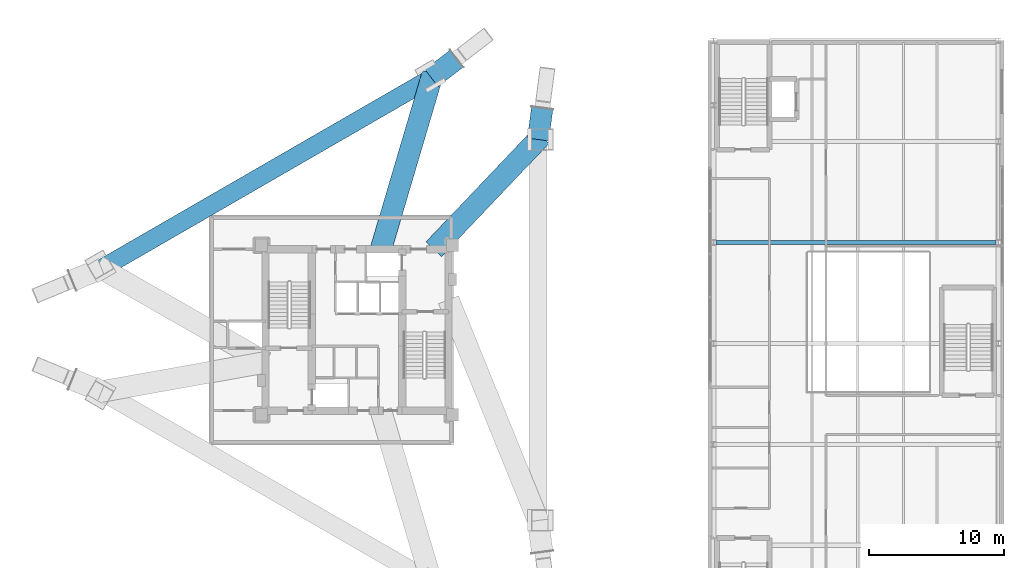
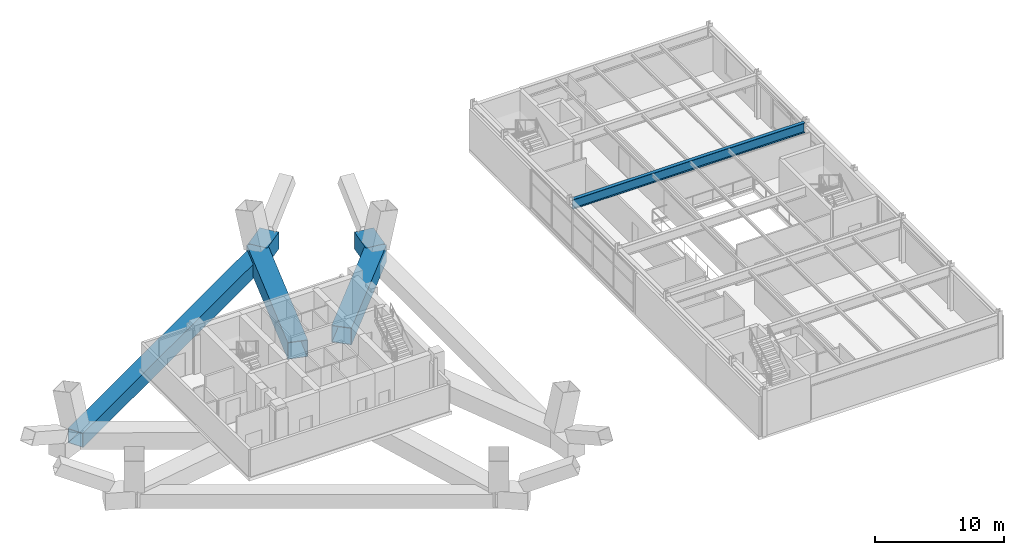
# One storey, part 6 of 16: 6 beams.
"""IFC4 building model written with IfcOpenShell, lengths in metres."""

from ifc_helpers import new_model, si_unit, direction, frame, origin, origin_2d, place, context, subcontext, project, spatial, hollow_rectangle, i_section, extrude, material, material_profile, profile_set, type_object, element, save


model = new_model("IFC4")

# Units and contexts
model_context = context("Model", 3, precision=1e-05, world=origin(), true_north=direction((0.0, 1.0)))
body_context = subcontext(model_context, "Body", "Model", "MODEL_VIEW")
ifc_project = project(units=[si_unit("LENGTHUNIT", "METRE"), si_unit("AREAUNIT", "SQUARE_METRE"), si_unit("VOLUMEUNIT", "CUBIC_METRE"), si_unit("PLANEANGLEUNIT", "RADIAN"), si_unit("MASSUNIT", "GRAM", prefix="KILO")], contexts=[model_context])

# Site, building, storey
site_placement = place(None, origin())
site = spatial("IfcSite", under=ifc_project, at=site_placement, CompositionType="ELEMENT")
building_placement = place(site_placement, origin())
building = spatial("IfcBuilding", under=site, at=building_placement, Name="Mersakhor Tower and Convention Hall", CompositionType="ELEMENT")
storey_placement = place(building_placement, frame((0.0, 0.0, 5.10009765625)))
storey = spatial("IfcBuildingStorey", under=building, at=storey_placement, Name="L01", CompositionType="ELEMENT", Elevation=5.10009765625)

# Beams
ifc_material_1 = material(Name="Steel S355", Category="steel")
ifc_material_profile_1 = material_profile(ifc_material_1, i_section(OverallWidth=0.3076171875, OverallDepth=0.926513671875, WebThickness=0.01953125, FlangeThickness=0.031982421875, at=origin_2d()), Name="UB 914x305x289")
ifc_profile_set_1 = profile_set([ifc_material_profile_1], Name="Steel S355")
beam_type_1 = type_object("IfcBeamType", Name="BM-PR-914", PredefinedType="BEAM", material=ifc_profile_set_1)
beam_1_placement = place(storey_placement, frame((55.679931640625, 33.25, 3.716552734375), z_axis=(1.0, 0.0, 0.0), x_axis=(0.0, 1.0, 0.0)))
element("IfcBeam", 1, at=beam_1_placement, inside=storey, type_object=beam_type_1, Name="Convention L01 Clear-Span Girder CG-5", PredefinedType="BEAM", context=body_context, shape_type="SweptSolid", body=[
    extrude(i_section(OverallWidth=0.3076171875, OverallDepth=0.926513671875, WebThickness=0.01953125, FlangeThickness=0.031982421875, at=origin_2d()), origin(), (0.0, 0.0, 1.0), 20.7900390625),
])
ifc_material_2 = material(Name="Steel S460", Category="steel")
ifc_material_profile_2 = material_profile(ifc_material_2, hollow_rectangle(XDim=1.35009765625, YDim=1.35009765625, WallThickness=0.035888671875, at=origin_2d()), Name="SHS 1350x1350x36")
ifc_profile_set_2 = profile_set([ifc_material_profile_2], Name="Steel S460")
beam_type_2 = type_object("IfcBeamType", Name="BM-TR-BOX1350", PredefinedType="BEAM", material=ifc_profile_set_2)
beam_2_placement = place(storey_placement, frame((10.0166015625, 31.32080078125, -1.35009765625), z_axis=(0.86602732334, 0.499996675217, 0.0), x_axis=(-0.499996675217, 0.86602732334, 0.0)))
element("IfcBeam", 2, at=beam_2_placement, inside=storey, type_object=beam_type_2, Name="L01 Pilotis Node Tie Transfer Girder PTB-F1", PredefinedType="BEAM", context=body_context, shape_type="SweptSolid", body=[
    extrude(hollow_rectangle(XDim=1.35009765625, YDim=1.35009765625, WallThickness=0.035888671875, at=origin_2d()), origin(), (0.0, 0.0, 1.0), 28.309326171875),
])
ifc_material_3 = material(Name="Steel S460", Category="steel")
ifc_material_profile_3 = material_profile(ifc_material_3, hollow_rectangle(XDim=1.60009765625, YDim=1.60009765625, WallThickness=0.0400390625, at=origin_2d()), Name="SHS 1600x1600x40")
ifc_profile_set_3 = profile_set([ifc_material_profile_3], Name="Steel S460")
beam_type_3 = type_object("IfcBeamType", Name="BM-TR-BOX1600", PredefinedType="BEAM", material=ifc_profile_set_3)
beam_3_placement = place(storey_placement, frame((30.77294921875, 32.75, -1.10009765625), z_axis=(0.283391854079, 0.959004200742, 0.0), x_axis=(-0.959004200742, 0.283391854079, 0.0)))
element("IfcBeam", 3, at=beam_3_placement, inside=storey, type_object=beam_type_3, Name="L01 Pilotis Core Tie Girder PRB-F1-B", PredefinedType="BEAM", context=body_context, shape_type="SweptSolid", body=[
    extrude(hollow_rectangle(XDim=1.60009765625, YDim=1.60009765625, WallThickness=0.0400390625, at=origin_2d()), origin(), (0.0, 0.0, 1.0), 13.619384765625),
])
beam_4_placement = place(storey_placement, frame((34.533203125, 45.475341796875, -1.10009765625), z_axis=(0.792457893336, 0.609926624512, 0.0), x_axis=(-0.609926624512, 0.792457893336, 0.0)))
element("IfcBeam", 4, at=beam_4_placement, inside=storey, type_object=beam_type_3, Name="L01 Pilotis Y-Node Transfer Cap Girder YCB-F1-B", PredefinedType="BEAM", context=body_context, shape_type="SweptSolid", body=[
    extrude(hollow_rectangle(XDim=1.60009765625, YDim=1.60009765625, WallThickness=0.0400390625, at=origin_2d()), origin(), (0.0, 0.0, 1.0), 2.35009765625),
])
beam_5_placement = place(storey_placement, frame((34.701416015625, 32.75, -1.10009765625), z_axis=(0.688837966197, 0.724915344247, 0.0), x_axis=(-0.724915344247, 0.688837966197, 0.0)))
element("IfcBeam", 5, at=beam_5_placement, inside=storey, type_object=beam_type_3, Name="L01 Pilotis Core Tie Girder PRB-F2-A", PredefinedType="BEAM", context=body_context, shape_type="SweptSolid", body=[
    extrude(hollow_rectangle(XDim=1.60009765625, YDim=1.60009765625, WallThickness=0.0400390625, at=origin_2d()), origin(), (0.0, 0.0, 1.0), 11.598876953125),
])
beam_6_placement = place(storey_placement, frame((42.449951171875, 40.904541015625, -1.10009765625), z_axis=(0.131945946883, 0.991256912763, 0.0), x_axis=(-0.991256912763, 0.131945946883, 0.0)))
element("IfcBeam", 6, at=beam_6_placement, inside=storey, type_object=beam_type_3, Name="L01 Pilotis Y-Node Transfer Cap Girder YCB-F2-A", PredefinedType="BEAM", context=body_context, shape_type="SweptSolid", body=[
    extrude(hollow_rectangle(XDim=1.60009765625, YDim=1.60009765625, WallThickness=0.0400390625, at=origin_2d()), origin(), (0.0, 0.0, 1.0), 2.349853515625),
])

save(model, "model.ifc")
